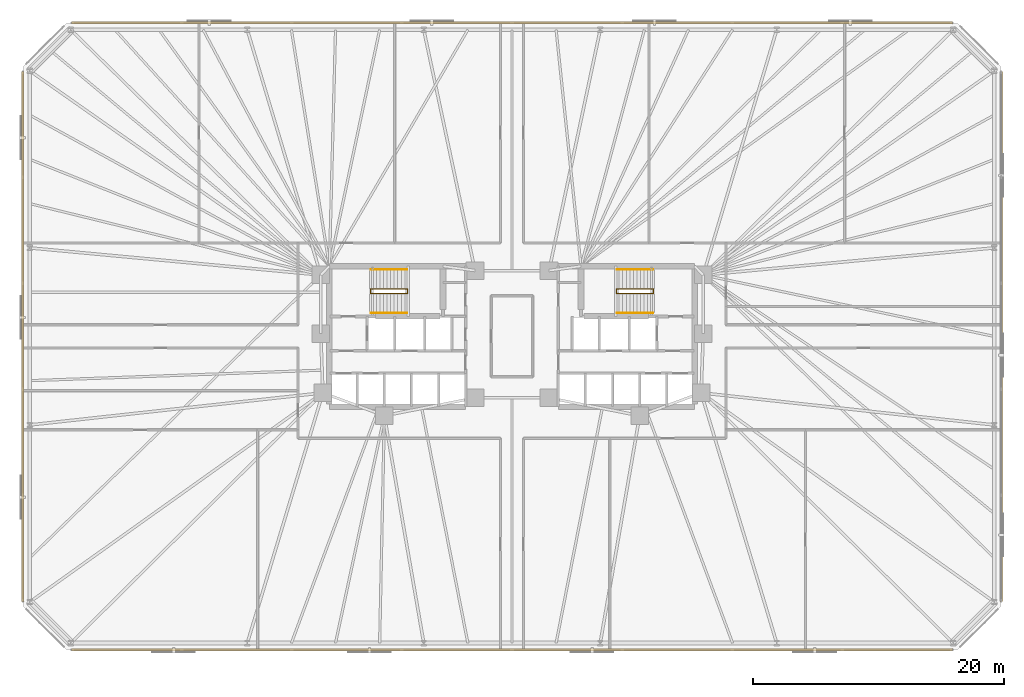
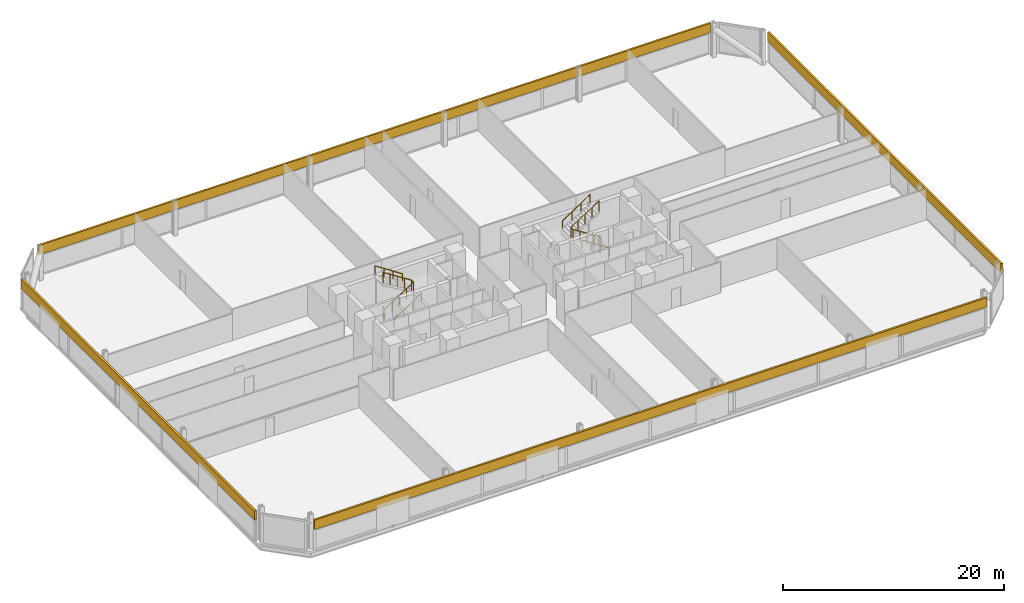
# One storey, part 17 of 17: 6 railings, 4 coverings.
"""IFC4 building model written with IfcOpenShell, lengths in metres."""

from ifc_helpers import new_model, si_unit, direction, frame, origin, origin_2d, place, context, subcontext, project, spatial, polyline, circle, outline, extrude, material, layer, layer_set, type_object, element, save


model = new_model("IFC4")

# Units and contexts
model_context = context("Model", 3, precision=1e-05, world=origin(), true_north=direction((0.0, 1.0)))
body_context = subcontext(model_context, "Body", "Model", "MODEL_VIEW")
ifc_project = project(units=[si_unit("LENGTHUNIT", "METRE"), si_unit("AREAUNIT", "SQUARE_METRE"), si_unit("VOLUMEUNIT", "CUBIC_METRE"), si_unit("PLANEANGLEUNIT", "RADIAN"), si_unit("MASSUNIT", "GRAM", prefix="KILO")], contexts=[model_context])

# Site, building, storey
site_placement = place(None, origin())
site = spatial("IfcSite", under=ifc_project, at=site_placement, CompositionType="ELEMENT")
building_placement = place(site_placement, origin())
building = spatial("IfcBuilding", under=site, at=building_placement, Name="Menara Jurai Vektor", CompositionType="ELEMENT")
storey_placement = place(building_placement, frame((0.0, 0.0, 75.0)))
storey = spatial("IfcBuildingStorey", under=building, at=storey_placement, Name="L18", CompositionType="ELEMENT", Elevation=75.0)

# Coverings
ifc_material_1 = material(Name="Insulated Pale Aluminium Spandrel Cladding", Category="aluminium")
ifc_layer = layer(ifc_material_1, 0.199951171875)
ifc_layer_set = layer_set([ifc_layer], Name="Insulated Pale Aluminium Spandrel Cladding")
covering_type = type_object("IfcCoveringType", Name="ENV-COV-SPANDREL", PredefinedType="CLADDING", material=ifc_layer_set)
covering_1_placement = place(storey_placement, frame((0.0, 0.0, 2.35888671875)))
element("IfcCovering", 1, at=covering_1_placement, inside=storey, type_object=covering_type, Name="Insulated Pale-Metal Spandrel Band L18 F01", PredefinedType="CLADDING", context=body_context, shape_type="SweptSolid", body=[
    extrude(outline(polyline([(-35.1201171875, -24.89990234375), (-35.1201171875, -25.10009765625), (35.1201171875, -25.10009765625), (35.1201171875, -24.89990234375), (-35.1201171875, -24.89990234375)])), origin(), (0.0, 0.0, 1.0), 1.0361328125),
])
covering_2_placement = place(storey_placement, frame((0.0, 0.0, 2.35888671875)))
element("IfcCovering", 2, at=covering_2_placement, inside=storey, type_object=covering_type, Name="Insulated Pale-Metal Spandrel Band L18 F03", PredefinedType="CLADDING", context=body_context, shape_type="SweptSolid", body=[
    extrude(outline(polyline([(38.89990234375, -21.1201171875), (39.10009765625, -21.1201171875), (39.10009765625, 21.1201171875), (38.89990234375, 21.1201171875), (38.89990234375, -21.1201171875)])), origin(), (0.0, 0.0, 1.0), 1.0361328125),
])
covering_3_placement = place(storey_placement, frame((0.0, 0.0, 2.35888671875)))
element("IfcCovering", 3, at=covering_3_placement, inside=storey, type_object=covering_type, Name="Insulated Pale-Metal Spandrel Band L18 F05", PredefinedType="CLADDING", context=body_context, shape_type="SweptSolid", body=[
    extrude(outline(polyline([(35.1201171875, 24.89990234375), (35.1201171875, 25.10009765625), (-35.1201171875, 25.10009765625), (-35.1201171875, 24.89990234375), (35.1201171875, 24.89990234375)])), origin(), (0.0, 0.0, 1.0), 1.0361328125),
])
covering_4_placement = place(storey_placement, frame((0.0, 0.0, 2.35888671875)))
element("IfcCovering", 4, at=covering_4_placement, inside=storey, type_object=covering_type, Name="Insulated Pale-Metal Spandrel Band L18 F07", PredefinedType="CLADDING", context=body_context, shape_type="SweptSolid", body=[
    extrude(outline(polyline([(-38.89990234375, 21.1201171875), (-39.10009765625, 21.1201171875), (-39.10009765625, -21.1201171875), (-38.89990234375, -21.1201171875), (-38.89990234375, 21.1201171875)])), origin(), (0.0, 0.0, 1.0), 1.0361328125),
])

# Railings
ifc_material_2 = material(Name="Painted Galvanised Steel Balustrade", Category="steel")
railing_type_1 = type_object("IfcRailingType", Name="RAIL-STAIR-GUARD", PredefinedType="GUARDRAIL", material=ifc_material_2)
railing_1_placement = place(storey_placement, frame((-11.2900390625, 3.780029296875, 0.0)))
element("IfcRailing", 5, at=railing_1_placement, inside=storey, type_object=railing_type_1, Name="ST1 Stair Guardrail 1 L18", PredefinedType="GUARDRAIL", context=body_context, shape_type="SweptSolid", body=[
    extrude(circle(Radius=0.02392578125, at=origin_2d()), frame((0.0, 0.0, 1.1259765625), z_axis=(0.0, -1.0, 0.0), x_axis=(1.0, 0.0, 0.0)), (0.0, 0.0, 1.0), 0.360107421875),
    extrude(circle(Radius=0.02392578125, at=origin_2d()), frame((0.0, -0.360107421875, 1.1259765625), z_axis=(0.841557155905, 0.0, 0.540168078791), x_axis=(0.0, 1.0, 0.0)), (0.0, 0.0, 1.0), 3.517333984375),
    extrude(circle(Radius=0.02392578125, at=origin_2d()), frame((2.9599609375, -0.360107421875, 3.02587890625), z_axis=(0.0, 1.0, 0.0), x_axis=(-1.0, 0.0, 0.0)), (0.0, 0.0, 1.0), 0.360107421875),
    extrude(circle(Radius=0.02392578125, at=origin_2d()), frame((2.9599609375, 0.0, 3.02587890625), z_axis=(-0.841525601958, 0.0, 0.540217235239), x_axis=(0.0, -1.0, 0.0)), (0.0, 0.0, 1.0), 3.517333984375),
    extrude(circle(Radius=0.02099609375, at=origin_2d()), origin(), (0.0, 0.0, 1.0), 1.101806640625),
    extrude(circle(Radius=0.02099609375, at=origin_2d()), frame((0.0, -0.360107421875, 0.0)), (0.0, 0.0, 1.0), 1.101806640625),
    extrude(circle(Radius=0.02099609375, at=origin_2d()), frame((0.739990234375, -0.360107421875, 0.47509765625)), (0.0, 0.0, 1.0), 1.101806640625),
    extrude(circle(Radius=0.02099609375, at=origin_2d()), frame((1.47998046875, -0.360107421875, 0.949951171875)), (0.0, 0.0, 1.0), 1.101806640625),
    extrude(circle(Radius=0.02099609375, at=origin_2d()), frame((2.219970703125, -0.360107421875, 1.4248046875)), (0.0, 0.0, 1.0), 1.101806640625),
    extrude(circle(Radius=0.02099609375, at=origin_2d()), frame((2.9599609375, -0.360107421875, 1.89990234375)), (0.0, 0.0, 1.0), 1.101806640625),
    extrude(circle(Radius=0.02099609375, at=origin_2d()), frame((2.9599609375, 0.0, 1.89990234375)), (0.0, 0.0, 1.0), 1.101806640625),
    extrude(circle(Radius=0.02099609375, at=origin_2d()), frame((2.219970703125, 0.0, 2.375)), (0.0, 0.0, 1.0), 1.101806640625),
    extrude(circle(Radius=0.02099609375, at=origin_2d()), frame((1.47998046875, 0.0, 2.85009765625)), (0.0, 0.0, 1.0), 1.101806640625),
    extrude(circle(Radius=0.02099609375, at=origin_2d()), frame((0.739990234375, 0.0, 3.324951171875)), (0.0, 0.0, 1.0), 1.101806640625),
    extrude(circle(Radius=0.02099609375, at=origin_2d()), frame((0.0, 0.0, 3.800048828125)), (0.0, 0.0, 1.0), 1.101806640625),
])
railing_2_placement = place(storey_placement, frame((11.2900390625, 3.780029296875, 0.0)))
element("IfcRailing", 6, at=railing_2_placement, inside=storey, type_object=railing_type_1, Name="ST2 Stair Guardrail 1 L18", PredefinedType="GUARDRAIL", context=body_context, shape_type="SweptSolid", body=[
    extrude(circle(Radius=0.02392578125, at=origin_2d()), frame((0.0, 0.0, 1.1259765625), z_axis=(0.0, -1.0, 0.0), x_axis=(1.0, 0.0, 0.0)), (0.0, 0.0, 1.0), 0.360107421875),
    extrude(circle(Radius=0.02392578125, at=origin_2d()), frame((0.0, -0.360107421875, 1.1259765625), z_axis=(-0.841557155905, 0.0, 0.540168078791), x_axis=(0.0, -1.0, 0.0)), (0.0, 0.0, 1.0), 3.517333984375),
    extrude(circle(Radius=0.02392578125, at=origin_2d()), frame((-2.9599609375, -0.360107421875, 3.02587890625), z_axis=(0.0, 1.0, 0.0), x_axis=(-1.0, 0.0, 0.0)), (0.0, 0.0, 1.0), 0.360107421875),
    extrude(circle(Radius=0.02392578125, at=origin_2d()), frame((-2.9599609375, 0.0, 3.02587890625), z_axis=(0.841525601958, 0.0, 0.540217235239), x_axis=(0.0, 1.0, 0.0)), (0.0, 0.0, 1.0), 3.517333984375),
    extrude(circle(Radius=0.02099609375, at=origin_2d()), origin(), (0.0, 0.0, 1.0), 1.101806640625),
    extrude(circle(Radius=0.02099609375, at=origin_2d()), frame((0.0, -0.360107421875, 0.0)), (0.0, 0.0, 1.0), 1.101806640625),
    extrude(circle(Radius=0.02099609375, at=origin_2d()), frame((-0.739990234375, -0.360107421875, 0.47509765625)), (0.0, 0.0, 1.0), 1.101806640625),
    extrude(circle(Radius=0.02099609375, at=origin_2d()), frame((-1.47998046875, -0.360107421875, 0.949951171875)), (0.0, 0.0, 1.0), 1.101806640625),
    extrude(circle(Radius=0.02099609375, at=origin_2d()), frame((-2.219970703125, -0.360107421875, 1.4248046875)), (0.0, 0.0, 1.0), 1.101806640625),
    extrude(circle(Radius=0.02099609375, at=origin_2d()), frame((-2.9599609375, -0.360107421875, 1.89990234375)), (0.0, 0.0, 1.0), 1.101806640625),
    extrude(circle(Radius=0.02099609375, at=origin_2d()), frame((-2.9599609375, 0.0, 1.89990234375)), (0.0, 0.0, 1.0), 1.101806640625),
    extrude(circle(Radius=0.02099609375, at=origin_2d()), frame((-2.219970703125, 0.0, 2.375)), (0.0, 0.0, 1.0), 1.101806640625),
    extrude(circle(Radius=0.02099609375, at=origin_2d()), frame((-1.47998046875, 0.0, 2.85009765625)), (0.0, 0.0, 1.0), 1.101806640625),
    extrude(circle(Radius=0.02099609375, at=origin_2d()), frame((-0.739990234375, 0.0, 3.324951171875)), (0.0, 0.0, 1.0), 1.101806640625),
    extrude(circle(Radius=0.02099609375, at=origin_2d()), frame((0.0, 0.0, 3.800048828125)), (0.0, 0.0, 1.0), 1.101806640625),
])
ifc_material_3 = material(Name="Brushed Stainless Steel Handrail", Category="steel")
railing_type_2 = type_object("IfcRailingType", Name="RAIL-STAIR-HAND", PredefinedType="HANDRAIL", material=ifc_material_3)
railing_3_placement = place(storey_placement, frame((-11.25, 1.860107421875, 0.0)))
element("IfcRailing", 7, at=railing_3_placement, inside=storey, type_object=railing_type_2, Name="ST1 Stair Handrail 1 L18", PredefinedType="HANDRAIL", context=body_context, shape_type="SweptSolid", body=[
    extrude(circle(Radius=0.02392578125, at=origin_2d()), frame((0.0, 0.0, 0.89599609375), z_axis=(0.834718698933, 0.0, 0.550676578085), x_axis=(0.0, 1.0, 0.0)), (0.0, 0.0, 1.0), 3.4501953125),
    extrude(circle(Radius=0.02099609375, at=origin_2d()), origin(), (0.0, 0.0, 1.0), 0.871826171875),
    extrude(circle(Radius=0.02099609375, at=origin_2d()), frame((0.9599609375, 0.0, 0.63330078125)), (0.0, 0.0, 1.0), 0.871826171875),
    extrude(circle(Radius=0.02099609375, at=origin_2d()), frame((1.919921875, 0.0, 1.2666015625)), (0.0, 0.0, 1.0), 0.871826171875),
    extrude(circle(Radius=0.02099609375, at=origin_2d()), frame((2.8798828125, 0.0, 1.89990234375)), (0.0, 0.0, 1.0), 0.871826171875),
])
railing_4_placement = place(storey_placement, frame((-8.3701171875, 5.340087890625, 1.89990234375)))
element("IfcRailing", 8, at=railing_4_placement, inside=storey, type_object=railing_type_2, Name="ST1 Stair Handrail 2 L18", PredefinedType="HANDRAIL", context=body_context, shape_type="SweptSolid", body=[
    extrude(circle(Radius=0.02392578125, at=origin_2d()), frame((0.0, 0.0, 0.89599609375), z_axis=(-0.834686171885, 0.0, 0.550725879602), x_axis=(0.0, -1.0, 0.0)), (0.0, 0.0, 1.0), 3.4501953125),
    extrude(circle(Radius=0.02099609375, at=origin_2d()), origin(), (0.0, 0.0, 1.0), 0.871826171875),
    extrude(circle(Radius=0.02099609375, at=origin_2d()), frame((-0.9599609375, 0.0, 0.63330078125)), (0.0, 0.0, 1.0), 0.871826171875),
    extrude(circle(Radius=0.02099609375, at=origin_2d()), frame((-1.919921875, 0.0, 1.266845703125)), (0.0, 0.0, 1.0), 0.871826171875),
    extrude(circle(Radius=0.02099609375, at=origin_2d()), frame((-2.8798828125, 0.0, 1.900146484375)), (0.0, 0.0, 1.0), 0.871826171875),
])
railing_5_placement = place(storey_placement, frame((11.25, 1.860107421875, 0.0)))
element("IfcRailing", 9, at=railing_5_placement, inside=storey, type_object=railing_type_2, Name="ST2 Stair Handrail 1 L18", PredefinedType="HANDRAIL", context=body_context, shape_type="SweptSolid", body=[
    extrude(circle(Radius=0.02392578125, at=origin_2d()), frame((0.0, 0.0, 0.89599609375), z_axis=(-0.834718698933, 0.0, 0.550676578085), x_axis=(0.0, -1.0, 0.0)), (0.0, 0.0, 1.0), 3.4501953125),
    extrude(circle(Radius=0.02099609375, at=origin_2d()), origin(), (0.0, 0.0, 1.0), 0.871826171875),
    extrude(circle(Radius=0.02099609375, at=origin_2d()), frame((-0.9599609375, 0.0, 0.63330078125)), (0.0, 0.0, 1.0), 0.871826171875),
    extrude(circle(Radius=0.02099609375, at=origin_2d()), frame((-1.919921875, 0.0, 1.2666015625)), (0.0, 0.0, 1.0), 0.871826171875),
    extrude(circle(Radius=0.02099609375, at=origin_2d()), frame((-2.8798828125, 0.0, 1.89990234375)), (0.0, 0.0, 1.0), 0.871826171875),
])
railing_6_placement = place(storey_placement, frame((8.3701171875, 5.340087890625, 1.89990234375)))
element("IfcRailing", 10, at=railing_6_placement, inside=storey, type_object=railing_type_2, Name="ST2 Stair Handrail 2 L18", PredefinedType="HANDRAIL", context=body_context, shape_type="SweptSolid", body=[
    extrude(circle(Radius=0.02392578125, at=origin_2d()), frame((0.0, 0.0, 0.89599609375), z_axis=(0.834686171885, 0.0, 0.550725879602), x_axis=(0.0, 1.0, 0.0)), (0.0, 0.0, 1.0), 3.4501953125),
    extrude(circle(Radius=0.02099609375, at=origin_2d()), origin(), (0.0, 0.0, 1.0), 0.871826171875),
    extrude(circle(Radius=0.02099609375, at=origin_2d()), frame((0.9599609375, 0.0, 0.63330078125)), (0.0, 0.0, 1.0), 0.871826171875),
    extrude(circle(Radius=0.02099609375, at=origin_2d()), frame((1.919921875, 0.0, 1.266845703125)), (0.0, 0.0, 1.0), 0.871826171875),
    extrude(circle(Radius=0.02099609375, at=origin_2d()), frame((2.8798828125, 0.0, 1.900146484375)), (0.0, 0.0, 1.0), 0.871826171875),
])

save(model, "model.ifc")
